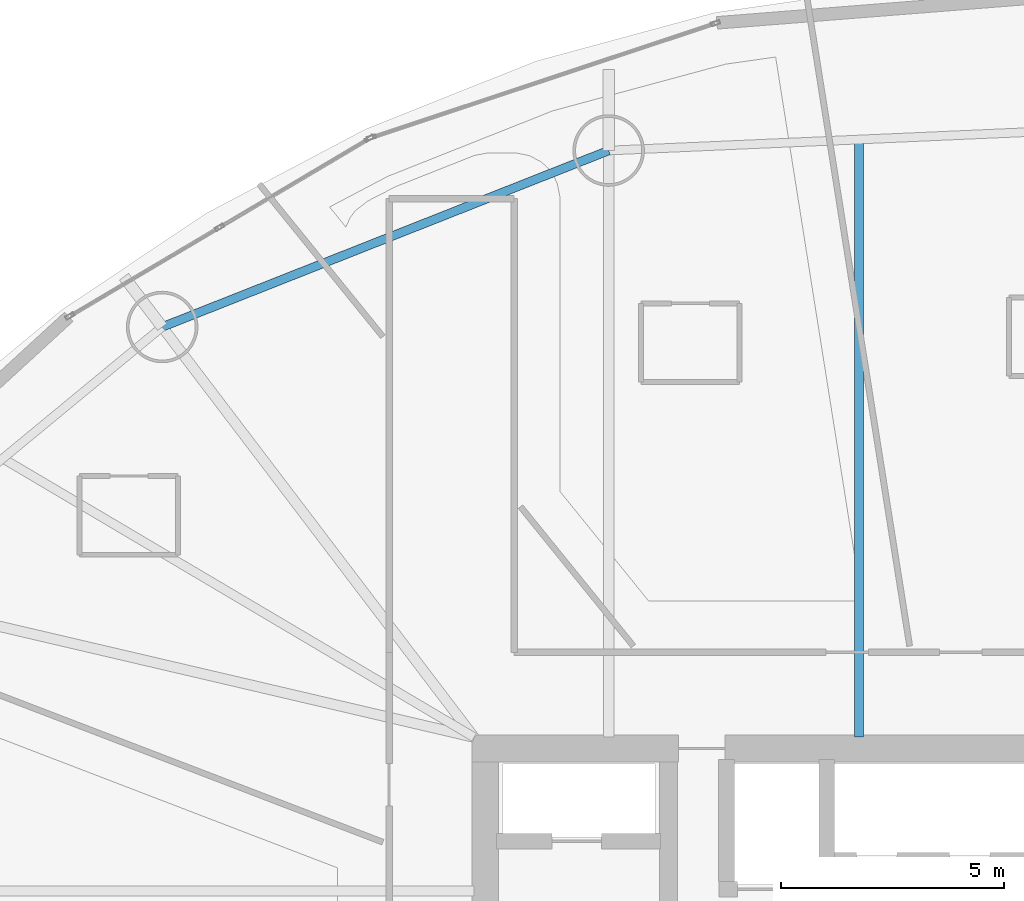
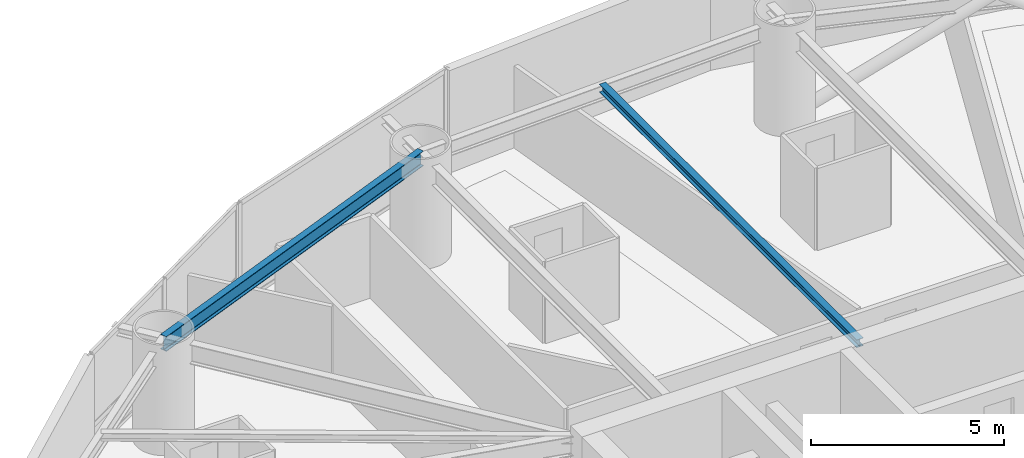
# One storey, part 13 of 25: 2 beams.
"""IFC4 building model written with IfcOpenShell, lengths in metres."""

from ifc_helpers import new_model, si_unit, direction, frame, origin, origin_2d, place, context, subcontext, project, spatial, i_section, extrude, material, material_profile, profile_set, type_object, element, save


model = new_model("IFC4")

# Units and contexts
model_context = context("Model", 3, precision=1e-05, world=origin(), true_north=direction((0.0, 1.0)))
body_context = subcontext(model_context, "Body", "Model", "MODEL_VIEW")
ifc_project = project(units=[si_unit("LENGTHUNIT", "METRE"), si_unit("AREAUNIT", "SQUARE_METRE"), si_unit("VOLUMEUNIT", "CUBIC_METRE"), si_unit("PLANEANGLEUNIT", "RADIAN"), si_unit("MASSUNIT", "GRAM", prefix="KILO")], contexts=[model_context])

# Site, building, storey
site_placement = place(None, origin())
site = spatial("IfcSite", under=ifc_project, at=site_placement, CompositionType="ELEMENT")
building_placement = place(site_placement, origin())
building = spatial("IfcBuilding", under=site, at=building_placement, Name="Bramvorn Convention Spire", CompositionType="ELEMENT")
storey_placement = place(building_placement, frame((0.0, 0.0, 48.39990234375)))
storey = spatial("IfcBuildingStorey", under=building, at=storey_placement, Name="L09", CompositionType="ELEMENT", Elevation=48.39990234375)

# Beams
ifc_material = material(Name="Steel CSA G40.21 Grade 350 (350W)", Category="steel")
ifc_material_profile_1 = material_profile(ifc_material, i_section(OverallWidth=0.201904296875, OverallDepth=0.2470703125, WebThickness=0.00732421875, FlangeThickness=0.010986328125, FilletRadius=0.011962890625, at=origin_2d()))
ifc_profile_set_1 = profile_set([ifc_material_profile_1], Name="Steel CSA G40.21 Grade 350 (350W) - W250X49")
beam_type_1 = type_object("IfcBeamType", Name="BM-W250X49", PredefinedType="JOIST", material=ifc_profile_set_1)
beam_1_placement = place(storey_placement, frame((35.361572265625, 33.449951171875, 3.126708984375), z_axis=(0.0, 1.0, 0.0), x_axis=(-1.0, 0.0, 0.0)))
element("IfcBeam", 1, at=beam_1_placement, inside=storey, type_object=beam_type_1, Name="L09 composite floor joist 05", PredefinedType="JOIST", context=body_context, shape_type="SweptSolid", body=[
    extrude(i_section(OverallWidth=0.201904296875, OverallDepth=0.2470703125, WebThickness=0.00732421875, FlangeThickness=0.010986328125, FilletRadius=0.011962890625, at=origin_2d()), origin(), (0.0, 0.0, 1.0), 13.372802734375),
])
ifc_material_profile_2 = material_profile(ifc_material, i_section(OverallWidth=0.194091796875, OverallDepth=0.468994140625, WebThickness=0.0126953125, FlangeThickness=0.0205078125, FilletRadius=0.01806640625, at=origin_2d()))
ifc_profile_set_2 = profile_set([ifc_material_profile_2], Name="Steel CSA G40.21 Grade 350 (350W) - W460X106")
beam_type_2 = type_object("IfcBeamType", Name="BM-W460X106", PredefinedType="SPANDREL", material=ifc_profile_set_2)
beam_2_placement = place(storey_placement, frame((29.76220703125, 46.57666015625, 3.015625), z_axis=(-0.93000950609, -0.367535465749, 0.0), x_axis=(0.367535465749, -0.93000950609, 0.0)))
element("IfcBeam", 2, at=beam_2_placement, inside=storey, type_object=beam_type_2, Name="L09 mega-column ring beam 06", PredefinedType="SPANDREL", context=body_context, shape_type="SweptSolid", body=[
    extrude(i_section(OverallWidth=0.194091796875, OverallDepth=0.468994140625, WebThickness=0.0126953125, FlangeThickness=0.0205078125, FilletRadius=0.01806640625, at=origin_2d()), origin(), (0.0, 0.0, 1.0), 10.74169921875),
])

save(model, "model.ifc")
